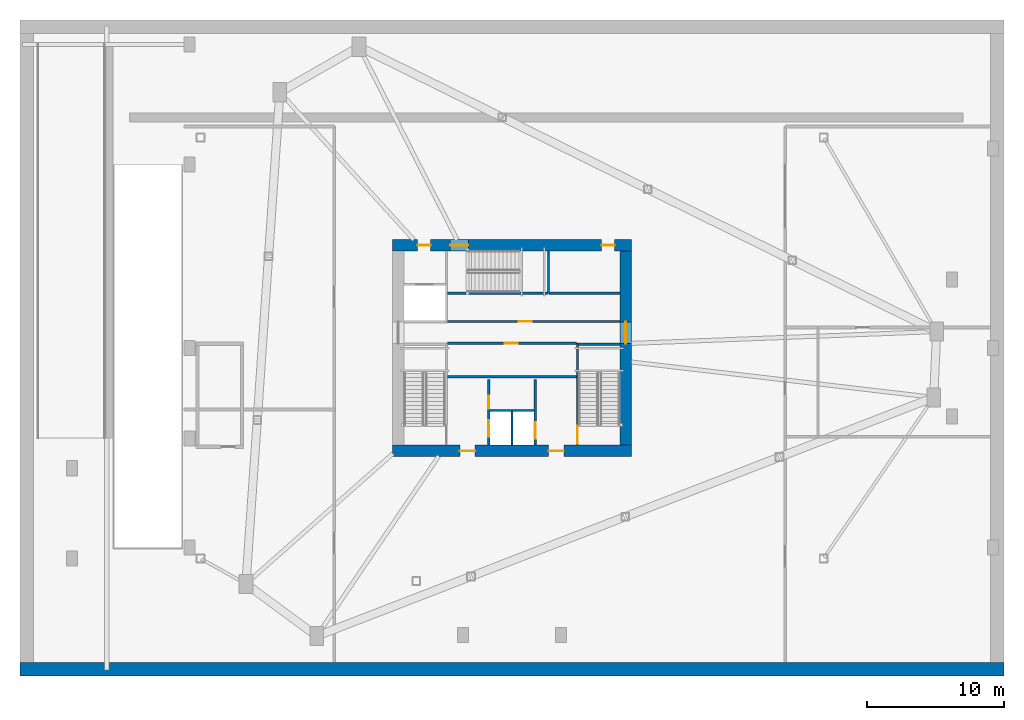
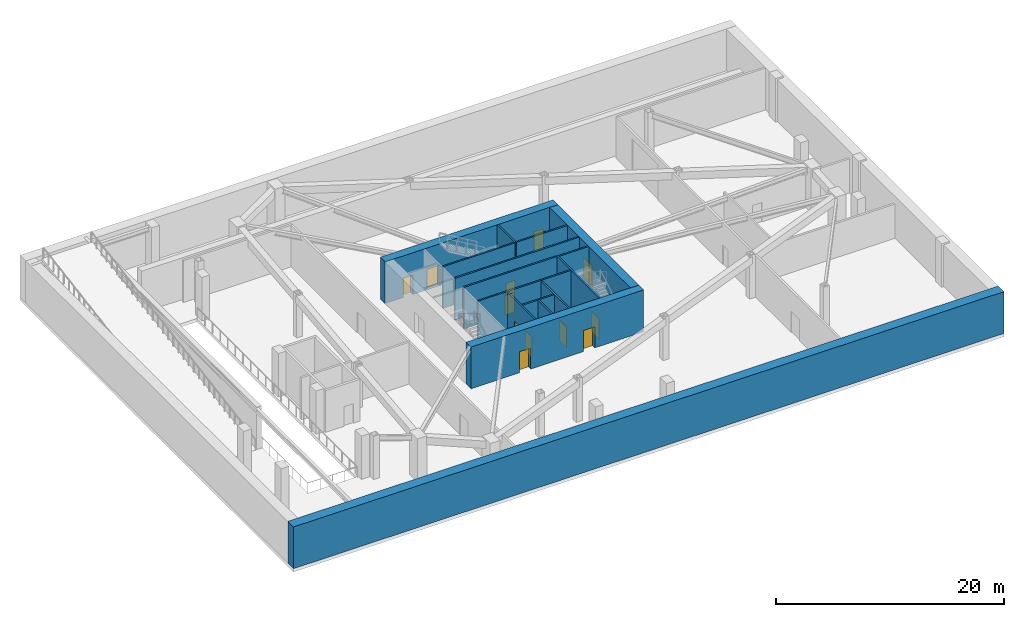
# One storey, part 4 of 9: 16 walls, 12 doors, 12 openings.
"""IFC4 building model written with IfcOpenShell, lengths in metres."""

from ifc_helpers import new_model, si_unit, direction, frame, frame_2d, origin, place, context, subcontext, project, spatial, rectangle, extrude, source, transform, mapped, material, layer, layer_set, type_object, type_shapes, element, fill, save


model = new_model("IFC4")

# Units and contexts
model_context = context("Model", 3, precision=1e-05, world=origin(), true_north=direction((0.0, 1.0)))
body_context = subcontext(model_context, "Body", "Model", "MODEL_VIEW")
ifc_project = project(units=[si_unit("LENGTHUNIT", "METRE"), si_unit("AREAUNIT", "SQUARE_METRE"), si_unit("VOLUMEUNIT", "CUBIC_METRE"), si_unit("PLANEANGLEUNIT", "RADIAN"), si_unit("MASSUNIT", "GRAM", prefix="KILO")], contexts=[model_context])

# Site, building, storey
site_placement = place(None, origin())
site = spatial("IfcSite", under=ifc_project, at=site_placement, CompositionType="ELEMENT")
building_placement = place(site_placement, origin())
building = spatial("IfcBuilding", under=site, at=building_placement, Name="Olszyna Solenne Hotel", CompositionType="ELEMENT")
storey_placement = place(building_placement, frame((0.0, 0.0, -4.800048828125)))
storey = spatial("IfcBuildingStorey", under=building, at=storey_placement, Name="B01", CompositionType="ELEMENT", Elevation=-4.800048828125)

# Wall, openings, doors
ifc_material_1 = material(Name="Concrete C60/75", Category="concrete")
ifc_layer_1 = layer(ifc_material_1, 0.85009765625, Name="Concrete C60/75")
ifc_layer_set_1 = layer_set([ifc_layer_1], Name="Concrete C60/75")
wall_type_1 = type_object("IfcWallType", Name="WL-CR850", PredefinedType="SHEAR", material=ifc_layer_set_1)
wall_1_placement = place(storey_placement, frame((46.75, 19.074951171875, 0.0), z_axis=(0.0, 0.0, 1.0), x_axis=(-1.0, 0.0, 0.0)))
wall_1 = element("IfcWall", 1, at=wall_1_placement, inside=storey, type_object=wall_type_1, Name="Core shear wall WL-CR850 CRW-B01-S", PredefinedType="SHEAR", context=body_context, shape_type="SweptSolid", body=[
    extrude(rectangle(XDim=17.5, YDim=0.85009765625, at=frame_2d((8.75, 0.0))), origin(), (0.0, 0.0, 1.0), 4.47998046875),
])
opening_1_placement = place(wall_1_placement, frame((4.949951171875, 0.0, 0.0)))
opening_1 = element("IfcOpeningElement", 2, at=opening_1_placement, cuts=wall_1, Name="Opening FL-B01-1", PredefinedType="OPENING", context=body_context, shape_type="SweptSolid", body=[
    extrude(rectangle(XDim=1.1201171875, YDim=2.25, at=frame_2d((0.56005859375, 1.125))), frame((0.0, 0.43505859375, 0.0), z_axis=(0.0, -1.0, 0.0), x_axis=(1.0, 0.0, 0.0)), (0.0, 0.0, 1.0), 0.8701171875),
])
opening_2_placement = place(wall_1_placement, frame((11.449951171875, 0.0, 0.0)))
opening_2 = element("IfcOpeningElement", 3, at=opening_2_placement, cuts=wall_1, Name="Opening FL-B01-2", PredefinedType="OPENING", context=body_context, shape_type="SweptSolid", body=[
    extrude(rectangle(XDim=1.1201171875, YDim=2.25, at=frame_2d((0.56005859375, 1.125))), frame((0.0, 0.43505859375, 0.0), z_axis=(0.0, -1.0, 0.0), x_axis=(1.0, 0.0, 0.0)), (0.0, 0.0, 1.0), 0.8701171875),
])
ifc_material_2 = material(Name="Steel S355J2", Category="steel")
door_type_1 = type_object("IfcDoorType", Name="DR-FL1", OperationType="NOTDEFINED", PredefinedType="DOOR", material=ifc_material_2)
shared_shape_1 = source(origin(), body_context, "Body", "SweptSolid", [
    extrude(rectangle(XDim=1.1201171875, YDim=2.25, at=frame_2d((0.56005859375, 1.125))), frame((0.0, 0.02490234375, 0.0), z_axis=(0.0, -1.0, 0.0), x_axis=(1.0, 0.0, 0.0)), (0.0, 0.0, 1.0), 0.050048828125),
])
type_shapes(door_type_1, [shared_shape_1])
door_1_placement = place(opening_1_placement, origin())
door_1 = element("IfcDoor", 4, at=door_1_placement, inside=storey, type_object=door_type_1, Name="Firefighting lift lobby smoke door FL-B01-1", OperationType="SINGLE_SWING_LEFT", OverallHeight=2.25, OverallWidth=1.1201171875, PredefinedType="DOOR", context=body_context, shape_type="MappedRepresentation", body=[
    mapped(shared_shape_1, transform((0.0, 0.0, 0.0), x_axis=(1.0, 0.0, 0.0), y_axis=(0.0, 1.0, 0.0), z_axis=(0.0, 0.0, 1.0), scale=1.0)),
])
fill(opening_1, door_1)
door_2_placement = place(opening_2_placement, origin())
door_2 = element("IfcDoor", 5, at=door_2_placement, inside=storey, type_object=door_type_1, Name="Firefighting lift lobby smoke door FL-B01-2", OperationType="SINGLE_SWING_RIGHT", OverallHeight=2.25, OverallWidth=1.1201171875, PredefinedType="DOOR", context=body_context, shape_type="MappedRepresentation", body=[
    mapped(shared_shape_1, transform((0.0, 0.0, 0.0), x_axis=(1.0, 0.0, 0.0), y_axis=(0.0, 1.0, 0.0), z_axis=(0.0, 0.0, 1.0), scale=1.0)),
])
fill(opening_2, door_2)

wall_2_placement = place(storey_placement, frame((29.25, 34.125, 0.0), z_axis=(0.0, 0.0, 1.0), x_axis=(1.0, 0.0, 0.0)))
wall_2 = element("IfcWall", 6, at=wall_2_placement, inside=storey, type_object=wall_type_1, Name="Core shear wall WL-CR850 CRW-B01-N", PredefinedType="SHEAR", context=body_context, shape_type="SweptSolid", body=[
    extrude(rectangle(XDim=17.5, YDim=0.85009765625, at=frame_2d((8.75, 0.0))), origin(), (0.0, 0.0, 1.0), 4.47998046875),
])
opening_3_placement = place(wall_2_placement, frame((1.85009765625, 0.0, 0.0)))
opening_3 = element("IfcOpeningElement", 7, at=opening_3_placement, cuts=wall_2, Name="Opening SVD-B01-01", PredefinedType="OPENING", context=body_context, shape_type="SweptSolid", body=[
    extrude(rectangle(XDim=0.949951171875, YDim=2.10009765625, at=frame_2d((0.47509765625, 1.050048828125))), frame((0.0, 0.43505859375, 0.0), z_axis=(0.0, -1.0, 0.0), x_axis=(1.0, 0.0, 0.0)), (0.0, 0.0, 1.0), 0.8701171875),
])
opening_4_placement = place(wall_2_placement, frame((4.22998046875, 0.0, 0.0)))
opening_4 = element("IfcOpeningElement", 8, at=opening_4_placement, cuts=wall_2, Name="Opening STD-B01-03", PredefinedType="OPENING", context=body_context, shape_type="SweptSolid", body=[
    extrude(rectangle(XDim=1.320068359375, YDim=2.199951171875, at=frame_2d((0.66015625, 1.10009765625))), frame((0.0, 0.43505859375, 0.0), z_axis=(0.0, -1.0, 0.0), x_axis=(1.0, 0.0, 0.0)), (0.0, 0.0, 1.0), 0.8701171875),
])
opening_5_placement = place(wall_2_placement, frame((15.300048828125, 0.0, 0.0)))
opening_5 = element("IfcOpeningElement", 9, at=opening_5_placement, cuts=wall_2, Name="Opening SVD-B01-BN", PredefinedType="OPENING", context=body_context, shape_type="SweptSolid", body=[
    extrude(rectangle(XDim=0.949951171875, YDim=2.10009765625, at=frame_2d((0.47509765625, 1.050048828125))), frame((0.0, 0.43505859375, 0.0), z_axis=(0.0, -1.0, 0.0), x_axis=(1.0, 0.0, 0.0)), (0.0, 0.0, 1.0), 0.8701171875),
])
door_type_2 = type_object("IfcDoorType", Name="DR-ST1", OperationType="NOTDEFINED", PredefinedType="DOOR", material=ifc_material_2)
shared_shape_2 = source(origin(), body_context, "Body", "SweptSolid", [
    extrude(rectangle(XDim=1.320068359375, YDim=2.199951171875, at=frame_2d((0.66015625, 1.10009765625))), frame((0.0, 0.02490234375, 0.0), z_axis=(0.0, -1.0, 0.0), x_axis=(1.0, 0.0, 0.0)), (0.0, 0.0, 1.0), 0.050048828125),
])
type_shapes(door_type_2, [shared_shape_2])
door_3_placement = place(opening_4_placement, origin())
door_3 = element("IfcDoor", 10, at=door_3_placement, inside=storey, type_object=door_type_2, Name="Pressurised exit stair ST3 fire door STD-B01-03", OperationType="SINGLE_SWING_RIGHT", OverallHeight=2.199951171875, OverallWidth=1.320068359375, PredefinedType="DOOR", context=body_context, shape_type="MappedRepresentation", body=[
    mapped(shared_shape_2, transform((0.0, 0.0, 0.0), x_axis=(1.0, 0.0, 0.0), y_axis=(0.0, 1.0, 0.0), z_axis=(0.0, 0.0, 1.0), scale=1.0)),
])
fill(opening_4, door_3)
door_type_3 = type_object("IfcDoorType", Name="DR-SV1", OperationType="NOTDEFINED", PredefinedType="DOOR", material=ifc_material_2)
shared_shape_3 = source(origin(), body_context, "Body", "SweptSolid", [
    extrude(rectangle(XDim=0.949951171875, YDim=2.10009765625, at=frame_2d((0.47509765625, 1.050048828125))), frame((0.0, 0.02490234375, 0.0), z_axis=(0.0, -1.0, 0.0), x_axis=(1.0, 0.0, 0.0)), (0.0, 0.0, 1.0), 0.050048828125),
])
type_shapes(door_type_3, [shared_shape_3])
door_4_placement = place(opening_3_placement, origin())
door_4 = element("IfcDoor", 11, at=door_4_placement, inside=storey, type_object=door_type_3, Name="Service lift lobby fire door SVD-B01-01", OperationType="SINGLE_SWING_LEFT", OverallHeight=2.10009765625, OverallWidth=0.949951171875, PredefinedType="DOOR", context=body_context, shape_type="MappedRepresentation", body=[
    mapped(shared_shape_3, transform((0.0, 0.0, 0.0), x_axis=(1.0, 0.0, 0.0), y_axis=(0.0, 1.0, 0.0), z_axis=(0.0, 0.0, 1.0), scale=1.0)),
])
fill(opening_3, door_4)
door_5_placement = place(opening_5_placement, origin())
door_5 = element("IfcDoor", 12, at=door_5_placement, inside=storey, type_object=door_type_3, Name="Housekeeping core fire door SVD-B01-BN", OperationType="SINGLE_SWING_LEFT", OverallHeight=2.10009765625, OverallWidth=0.949951171875, PredefinedType="DOOR", context=body_context, shape_type="MappedRepresentation", body=[
    mapped(shared_shape_3, transform((0.0, 0.0, 0.0), x_axis=(1.0, 0.0, 0.0), y_axis=(0.0, 1.0, 0.0), z_axis=(0.0, 0.0, 1.0), scale=1.0)),
])
fill(opening_5, door_5)

# Wall, opening, door
wall_3_placement = place(storey_placement, frame((46.324951171875, 33.699951171875, 0.0), z_axis=(0.0, 0.0, 1.0), x_axis=(0.0, -1.0, 0.0)))
wall_3 = element("IfcWall", 13, at=wall_3_placement, inside=storey, type_object=wall_type_1, Name="Core shear wall WL-CR850 CRW-B01-E", PredefinedType="SHEAR", context=body_context, shape_type="SweptSolid", body=[
    extrude(rectangle(XDim=14.199951171875, YDim=0.85009765625, at=frame_2d((7.10009765625, 0.0))), origin(), (0.0, 0.0, 1.0), 4.47998046875),
])
opening_6_placement = place(wall_3_placement, frame((5.179931640625, 0.0, 0.0)))
opening_6 = element("IfcOpeningElement", 14, at=opening_6_placement, cuts=wall_3, Name="Opening LHD-B01-E", PredefinedType="OPENING", context=body_context, shape_type="SweptSolid", body=[
    extrude(rectangle(XDim=1.60009765625, YDim=2.199951171875, at=frame_2d((0.800048828125, 1.10009765625))), frame((0.0, 0.43505859375, 0.0), z_axis=(0.0, -1.0, 0.0), x_axis=(1.0, 0.0, 0.0)), (0.0, 0.0, 1.0), 0.8701171875),
])
ifc_material_3 = material(Name="Timber hardwood", Category="wood")
door_type_4 = type_object("IfcDoorType", Name="DR-CR1", OperationType="DOUBLE_DOOR_SINGLE_SWING", PredefinedType="DOOR", material=ifc_material_3)
shared_shape_4 = source(origin(), body_context, "Body", "SweptSolid", [
    extrude(rectangle(XDim=1.60009765625, YDim=2.199951171875, at=frame_2d((0.800048828125, 1.10009765625))), frame((0.0, 0.02490234375, 0.0), z_axis=(0.0, -1.0, 0.0), x_axis=(1.0, 0.0, 0.0)), (0.0, 0.0, 1.0), 0.050048828125),
])
type_shapes(door_type_4, [shared_shape_4])
door_6_placement = place(opening_6_placement, origin())
door_6 = element("IfcDoor", 15, at=door_6_placement, inside=storey, type_object=door_type_4, Name="Passenger lift lobby East fire door LHD-B01-E", OperationType="DOUBLE_DOOR_SINGLE_SWING", OverallHeight=2.199951171875, OverallWidth=1.60009765625, PredefinedType="DOOR", context=body_context, shape_type="MappedRepresentation", body=[
    mapped(shared_shape_4, transform((0.0, 0.0, 0.0), x_axis=(1.0, 0.0, 0.0), y_axis=(0.0, 1.0, 0.0), z_axis=(0.0, 0.0, 1.0), scale=1.0)),
])
fill(opening_6, door_6)

# Walls
ifc_material_4 = material(Name="Concrete C40/50", Category="concrete")
ifc_layer_2 = layer(ifc_material_4, 1.0, Name="Concrete C40/50")
ifc_layer_set_2 = layer_set([ifc_layer_2], Name="Concrete C40/50")
wall_type_2 = type_object("IfcWallType", Name="WL-DW1000", PredefinedType="SOLIDWALL", material=ifc_layer_set_2)
wall_4_placement = place(storey_placement, frame((2.0, 3.10009765625, 0.0), z_axis=(0.0, 0.0, 1.0), x_axis=(1.0, 0.0, 0.0)))
element("IfcWall", 16, at=wall_4_placement, inside=storey, type_object=wall_type_2, Name="Perimeter diaphragm wall DW-B01-S", PredefinedType="SOLIDWALL", context=body_context, shape_type="SweptSolid", body=[
    extrude(rectangle(XDim=72.0, YDim=1.0, at=frame_2d((36.0, 0.0))), origin(), (0.0, 0.0, 1.0), 4.47998046875),
])
ifc_material_5 = material(Name="Acoustic gypsum partition", Category="gypsum")
ifc_layer_3 = layer(ifc_material_5, 0.125, Name="Acoustic gypsum partition")
ifc_layer_set_3 = layer_set([ifc_layer_3], Name="Acoustic gypsum partition")
wall_type_3 = type_object("IfcWallType", Name="WL-PT125", PredefinedType="PARTITIONING", material=ifc_layer_set_3)
wall_5_placement = place(storey_placement, frame((38.0, 19.5, 0.0), z_axis=(0.0, 0.0, 1.0), x_axis=(0.0, 1.0, 0.0)))
element("IfcWall", 17, at=wall_5_placement, inside=storey, type_object=wall_type_3, Name="Core shaft compartment wall CW-B01-FFM", PredefinedType="PARTITIONING", context=body_context, shape_type="SweptSolid", body=[
    extrude(rectangle(XDim=2.4599609375, YDim=0.125, at=frame_2d((1.22998046875, 0.0))), origin(), (0.0, 0.0, 1.0), 4.47998046875),
])

# Wall, opening, door
ifc_layer_4 = layer(ifc_material_5, 0.159912109375, Name="Acoustic gypsum partition")
ifc_layer_set_4 = layer_set([ifc_layer_4], Name="Acoustic gypsum partition")
wall_type_4 = type_object("IfcWallType", Name="WL-PT160", PredefinedType="PARTITIONING", material=ifc_layer_set_4)
wall_6_placement = place(storey_placement, frame((42.800048828125, 26.9599609375, 0.0), z_axis=(0.0, 0.0, 1.0), x_axis=(0.0, -1.0, 0.0)))
wall_6 = element("IfcWall", 18, at=wall_6_placement, inside=storey, type_object=wall_type_4, Name="Core shaft compartment wall CW-B01-ST2W", PredefinedType="PARTITIONING", context=body_context, shape_type="SweptSolid", body=[
    extrude(rectangle(XDim=7.4599609375, YDim=0.159912109375, at=frame_2d((3.72998046875, 0.0))), origin(), (0.0, 0.0, 1.0), 4.47998046875),
])
opening_7_placement = place(wall_6_placement, frame((6.06005859375, 0.0, 0.0)))
opening_7 = element("IfcOpeningElement", 19, at=opening_7_placement, cuts=wall_6, Name="Opening STD-B01-02", PredefinedType="OPENING", context=body_context, shape_type="SweptSolid", body=[
    extrude(rectangle(XDim=1.320068359375, YDim=2.199951171875, at=frame_2d((0.66015625, 1.10009765625))), frame((0.0, 0.08984375, 0.0), z_axis=(0.0, -1.0, 0.0), x_axis=(1.0, 0.0, 0.0)), (0.0, 0.0, 1.0), 0.179931640625),
])
door_7_placement = place(opening_7_placement, origin())
door_7 = element("IfcDoor", 20, at=door_7_placement, inside=storey, type_object=door_type_2, Name="Pressurised exit stair ST2 fire door STD-B01-02", OperationType="SINGLE_SWING_RIGHT", OverallHeight=2.199951171875, OverallWidth=1.320068359375, PredefinedType="DOOR", context=body_context, shape_type="MappedRepresentation", body=[
    mapped(shared_shape_2, transform((0.0, 0.0, 0.0), x_axis=(1.0, 0.0, 0.0), y_axis=(0.0, 1.0, 0.0), z_axis=(0.0, 0.0, 1.0), scale=1.0)),
])
fill(opening_7, door_7)

# Walls
wall_7_placement = place(storey_placement, frame((42.8798828125, 26.8798828125, 0.0), z_axis=(0.0, 0.0, 1.0), x_axis=(1.0, 0.0, 0.0)))
element("IfcWall", 21, at=wall_7_placement, inside=storey, type_object=wall_type_4, Name="Core shaft compartment wall CW-B01-ST2N", PredefinedType="PARTITIONING", context=body_context, shape_type="SweptSolid", body=[
    extrude(rectangle(XDim=3.02001953125, YDim=0.159912109375, at=frame_2d((1.510009765625, 0.0))), origin(), (0.0, 0.0, 1.0), 4.47998046875),
])
wall_8_placement = place(storey_placement, frame((33.280029296875, 30.60009765625, 0.0), z_axis=(0.0, 0.0, 1.0), x_axis=(1.0, 0.0, 0.0)))
element("IfcWall", 22, at=wall_8_placement, inside=storey, type_object=wall_type_4, Name="Core shaft compartment wall CW-B01-ST3S", PredefinedType="PARTITIONING", context=body_context, shape_type="SweptSolid", body=[
    extrude(rectangle(XDim=7.300048828125, YDim=0.159912109375, at=frame_2d((3.64990234375, 0.0))), origin(), (0.0, 0.0, 1.0), 4.47998046875),
])
wall_9_placement = place(storey_placement, frame((40.659912109375, 30.60009765625, 0.0), z_axis=(0.0, 0.0, 1.0), x_axis=(0.0, 1.0, 0.0)))
element("IfcWall", 23, at=wall_9_placement, inside=storey, type_object=wall_type_4, Name="Core shaft compartment wall CW-B01-ST3E", PredefinedType="PARTITIONING", context=body_context, shape_type="SweptSolid", body=[
    extrude(rectangle(XDim=3.099853515625, YDim=0.159912109375, at=frame_2d((1.5498046875, 0.0))), origin(), (0.0, 0.0, 1.0), 4.47998046875),
])

# Wall, openings, doors
wall_10_placement = place(storey_placement, frame((36.300048828125, 19.5, 0.0), z_axis=(0.0, 0.0, 1.0), x_axis=(0.0, 1.0, 0.0)))
wall_10 = element("IfcWall", 24, at=wall_10_placement, inside=storey, type_object=wall_type_4, Name="Core shaft compartment wall CW-B01-FF1W", PredefinedType="PARTITIONING", context=body_context, shape_type="SweptSolid", body=[
    extrude(rectangle(XDim=4.780029296875, YDim=0.159912109375, at=frame_2d((2.39013671875, 0.0))), origin(), (0.0, 0.0, 1.0), 4.47998046875),
])
opening_8_placement = place(wall_10_placement, frame((0.60009765625, 0.0, 0.0)))
opening_8 = element("IfcOpeningElement", 25, at=opening_8_placement, cuts=wall_10, Name="Opening LD-B01-FF1", PredefinedType="OPENING", context=body_context, shape_type="SweptSolid", body=[
    extrude(rectangle(XDim=1.199951171875, YDim=2.199951171875, at=frame_2d((0.60009765625, 1.10009765625))), frame((0.0, 0.08984375, 0.0), z_axis=(0.0, -1.0, 0.0), x_axis=(1.0, 0.0, 0.0)), (0.0, 0.0, 1.0), 0.179931640625),
])
opening_9_placement = place(wall_10_placement, frame((2.64990234375, 0.0, 0.0)))
opening_9 = element("IfcOpeningElement", 26, at=opening_9_placement, cuts=wall_10, Name="Opening SVD-B01-SMK", PredefinedType="OPENING", context=body_context, shape_type="SweptSolid", body=[
    extrude(rectangle(XDim=0.949951171875, YDim=2.10009765625, at=frame_2d((0.47509765625, 1.050048828125))), frame((0.0, 0.08984375, 0.0), z_axis=(0.0, -1.0, 0.0), x_axis=(1.0, 0.0, 0.0)), (0.0, 0.0, 1.0), 0.179931640625),
])
door_8_placement = place(opening_9_placement, origin())
door_8 = element("IfcDoor", 27, at=door_8_placement, inside=storey, type_object=door_type_3, Name="Valet and core service room door SVD-B01-SMK", OperationType="SINGLE_SWING_LEFT", OverallHeight=2.10009765625, OverallWidth=0.949951171875, PredefinedType="DOOR", context=body_context, shape_type="MappedRepresentation", body=[
    mapped(shared_shape_3, transform((0.0, 0.0, 0.0), x_axis=(1.0, 0.0, 0.0), y_axis=(0.0, 1.0, 0.0), z_axis=(0.0, 0.0, 1.0), scale=1.0)),
])
fill(opening_9, door_8)
door_type_5 = type_object("IfcDoorType", Name="LD-FF1", OperationType="DOUBLE_DOOR_SLIDING", PredefinedType="DOOR", material=ifc_material_2)
shared_shape_5 = source(origin(), body_context, "Body", "SweptSolid", [
    extrude(rectangle(XDim=1.199951171875, YDim=2.199951171875, at=frame_2d((0.60009765625, 1.10009765625))), frame((0.0, 0.02490234375, 0.0), z_axis=(0.0, -1.0, 0.0), x_axis=(1.0, 0.0, 0.0)), (0.0, 0.0, 1.0), 0.050048828125),
])
type_shapes(door_type_5, [shared_shape_5])
door_9_placement = place(opening_8_placement, origin())
door_9 = element("IfcDoor", 28, at=door_9_placement, inside=storey, type_object=door_type_5, Name="Firefighters lift FF1 sliding landing door LD-B01-FF1", OperationType="DOUBLE_DOOR_SLIDING", OverallHeight=2.199951171875, OverallWidth=1.199951171875, PredefinedType="DOOR", context=body_context, shape_type="MappedRepresentation", body=[
    mapped(shared_shape_5, transform((0.0, 0.0, 0.0), x_axis=(1.0, 0.0, 0.0), y_axis=(0.0, 1.0, 0.0), z_axis=(0.0, 0.0, 1.0), scale=1.0)),
])
fill(opening_8, door_9)

# Wall, opening, door
wall_11_placement = place(storey_placement, frame((39.699951171875, 24.280029296875, 0.0), z_axis=(0.0, 0.0, 1.0), x_axis=(0.0, -1.0, 0.0)))
wall_11 = element("IfcWall", 29, at=wall_11_placement, inside=storey, type_object=wall_type_4, Name="Core shaft compartment wall CW-B01-FF2E", PredefinedType="PARTITIONING", context=body_context, shape_type="SweptSolid", body=[
    extrude(rectangle(XDim=4.780029296875, YDim=0.159912109375, at=frame_2d((2.39013671875, 0.0))), origin(), (0.0, 0.0, 1.0), 4.47998046875),
])
opening_10_placement = place(wall_11_placement, frame((3.1201171875, 0.0, 0.0)))
opening_10 = element("IfcOpeningElement", 30, at=opening_10_placement, cuts=wall_11, Name="Opening LD-B01-FF2", PredefinedType="OPENING", context=body_context, shape_type="SweptSolid", body=[
    extrude(rectangle(XDim=1.199951171875, YDim=2.199951171875, at=frame_2d((0.60009765625, 1.10009765625))), frame((0.0, 0.08984375, 0.0), z_axis=(0.0, -1.0, 0.0), x_axis=(1.0, 0.0, 0.0)), (0.0, 0.0, 1.0), 0.179931640625),
])
door_10_placement = place(opening_10_placement, origin())
door_10 = element("IfcDoor", 31, at=door_10_placement, inside=storey, type_object=door_type_5, Name="Firefighters lift FF2 sliding landing door LD-B01-FF2", OperationType="DOUBLE_DOOR_SLIDING", OverallHeight=2.199951171875, OverallWidth=1.199951171875, PredefinedType="DOOR", context=body_context, shape_type="MappedRepresentation", body=[
    mapped(shared_shape_5, transform((0.0, 0.0, 0.0), x_axis=(1.0, 0.0, 0.0), y_axis=(0.0, 1.0, 0.0), z_axis=(0.0, 0.0, 1.0), scale=1.0)),
])
fill(opening_10, door_10)

# Walls
wall_12_placement = place(storey_placement, frame((36.3798828125, 22.02001953125, 0.0), z_axis=(0.0, 0.0, 1.0), x_axis=(1.0, 0.0, 0.0)))
element("IfcWall", 32, at=wall_12_placement, inside=storey, type_object=wall_type_4, Name="Core shaft compartment wall CW-B01-FFN", PredefinedType="PARTITIONING", context=body_context, shape_type="SweptSolid", body=[
    extrude(rectangle(XDim=3.240234375, YDim=0.159912109375, at=frame_2d((1.6201171875, 0.0))), origin(), (0.0, 0.0, 1.0), 4.47998046875),
])
wall_13_placement = place(storey_placement, frame((33.280029296875, 24.489990234375, 0.0), z_axis=(0.0, 0.0, 1.0), x_axis=(1.0, 0.0, 0.0)))
element("IfcWall", 33, at=wall_13_placement, inside=storey, type_object=wall_type_4, Name="Core shaft compartment wall CW-B01-FFBN", PredefinedType="PARTITIONING", context=body_context, shape_type="SweptSolid", body=[
    extrude(rectangle(XDim=9.43994140625, YDim=0.159912109375, at=frame_2d((4.719970703125, 0.0))), origin(), (0.0, 0.0, 1.0), 4.47998046875),
])

# Wall, opening, door
wall_14_placement = place(storey_placement, frame((33.280029296875, 26.949951171875, 0.0), z_axis=(0.0, 0.0, 1.0), x_axis=(1.0, 0.0, 0.0)))
wall_14 = element("IfcWall", 34, at=wall_14_placement, inside=storey, type_object=wall_type_4, Name="Core shaft compartment wall CW-B01-LRS", PredefinedType="PARTITIONING", context=body_context, shape_type="SweptSolid", body=[
    extrude(rectangle(XDim=9.43994140625, YDim=0.159912109375, at=frame_2d((4.719970703125, 0.0))), origin(), (0.0, 0.0, 1.0), 4.47998046875),
])
opening_11_placement = place(wall_14_placement, frame((4.199951171875, 0.0, 0.0)))
opening_11 = element("IfcOpeningElement", 35, at=opening_11_placement, cuts=wall_14, Name="Opening SVD-B01-CS1", PredefinedType="OPENING", context=body_context, shape_type="SweptSolid", body=[
    extrude(rectangle(XDim=0.949951171875, YDim=2.10009765625, at=frame_2d((0.47509765625, 1.050048828125))), frame((0.0, 0.08984375, 0.0), z_axis=(0.0, -1.0, 0.0), x_axis=(1.0, 0.0, 0.0)), (0.0, 0.0, 1.0), 0.179931640625),
])
door_11_placement = place(opening_11_placement, origin())
door_11 = element("IfcDoor", 36, at=door_11_placement, inside=storey, type_object=door_type_3, Name="Basement core store door SVD-B01-CS1", OperationType="SINGLE_SWING_LEFT", OverallHeight=2.10009765625, OverallWidth=0.949951171875, PredefinedType="DOOR", context=body_context, shape_type="MappedRepresentation", body=[
    mapped(shared_shape_3, transform((0.0, 0.0, 0.0), x_axis=(1.0, 0.0, 0.0), y_axis=(0.0, 1.0, 0.0), z_axis=(0.0, 0.0, 1.0), scale=1.0)),
])
fill(opening_11, door_11)

wall_15_placement = place(storey_placement, frame((33.280029296875, 28.5400390625, 0.0), z_axis=(0.0, 0.0, 1.0), x_axis=(1.0, 0.0, 0.0)))
wall_15 = element("IfcWall", 37, at=wall_15_placement, inside=storey, type_object=wall_type_4, Name="Core shaft compartment wall CW-B01-LRN", PredefinedType="PARTITIONING", context=body_context, shape_type="SweptSolid", body=[
    extrude(rectangle(XDim=12.619873046875, YDim=0.159912109375, at=frame_2d((6.31005859375, 0.0))), origin(), (0.0, 0.0, 1.0), 4.47998046875),
])
opening_12_placement = place(wall_15_placement, frame((5.199951171875, 0.0, 0.0)))
opening_12 = element("IfcOpeningElement", 38, at=opening_12_placement, cuts=wall_15, Name="Opening SVD-B01-CS2", PredefinedType="OPENING", context=body_context, shape_type="SweptSolid", body=[
    extrude(rectangle(XDim=0.949951171875, YDim=2.10009765625, at=frame_2d((0.47509765625, 1.050048828125))), frame((0.0, 0.08984375, 0.0), z_axis=(0.0, -1.0, 0.0), x_axis=(1.0, 0.0, 0.0)), (0.0, 0.0, 1.0), 0.179931640625),
])
door_12_placement = place(opening_12_placement, origin())
door_12 = element("IfcDoor", 39, at=door_12_placement, inside=storey, type_object=door_type_3, Name="Sprinkler valve room door SVD-B01-CS2", OperationType="SINGLE_SWING_RIGHT", OverallHeight=2.10009765625, OverallWidth=0.949951171875, PredefinedType="DOOR", context=body_context, shape_type="MappedRepresentation", body=[
    mapped(shared_shape_3, transform((0.0, 0.0, 0.0), x_axis=(1.0, 0.0, 0.0), y_axis=(0.0, 1.0, 0.0), z_axis=(0.0, 0.0, 1.0), scale=1.0)),
])
fill(opening_12, door_12)

# Wall
wall_16_placement = place(storey_placement, frame((40.719970703125, 30.60009765625, 0.0), z_axis=(0.0, 0.0, 1.0), x_axis=(1.0, 0.0, 0.0)))
element("IfcWall", 40, at=wall_16_placement, inside=storey, type_object=wall_type_4, Name="Core shaft compartment wall CW-B01-LRNTOP", PredefinedType="PARTITIONING", context=body_context, shape_type="SweptSolid", body=[
    extrude(rectangle(XDim=5.179931640625, YDim=0.159912109375, at=frame_2d((2.58984375, 0.0))), origin(), (0.0, 0.0, 1.0), 4.47998046875),
])

save(model, "model.ifc")
